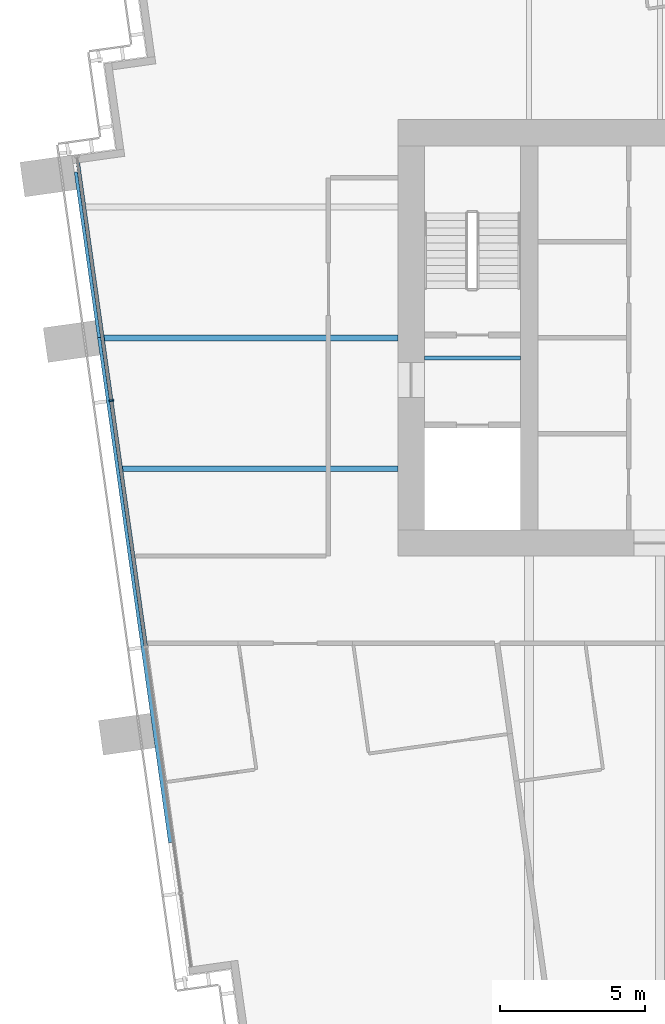
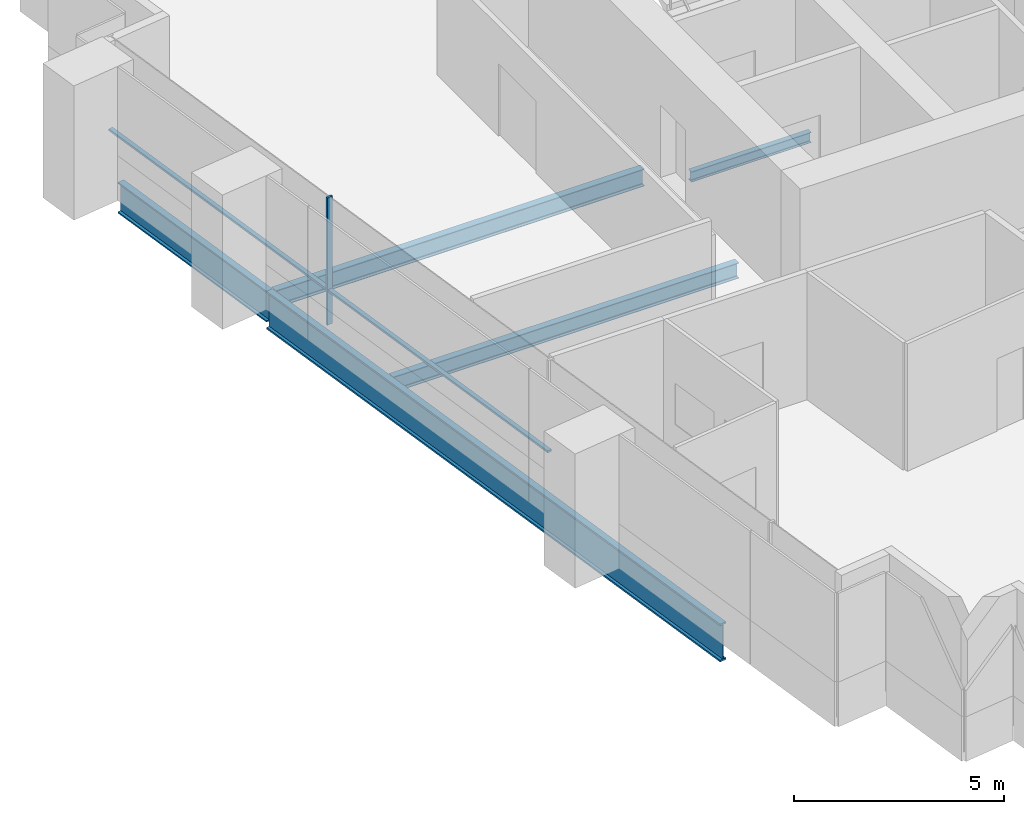
# One storey, part 3 of 18: 5 beams, 3 members, 1 element without a shape of its own.
"""IFC4 building model written with IfcOpenShell, lengths in metres."""

from ifc_helpers import new_model, si_unit, direction, frame, origin, origin_2d, place, context, subcontext, project, spatial, rectangle, i_section, extrude, material, material_profile, profile_set, type_object, element, aggregate, save


model = new_model("IFC4")

# Units and contexts
model_context = context("Model", 3, precision=1e-05, world=origin(), true_north=direction((0.0, 1.0)))
body_context = subcontext(model_context, "Body", "Model", "MODEL_VIEW")
ifc_project = project(units=[si_unit("LENGTHUNIT", "METRE"), si_unit("AREAUNIT", "SQUARE_METRE"), si_unit("VOLUMEUNIT", "CUBIC_METRE"), si_unit("PLANEANGLEUNIT", "RADIAN"), si_unit("MASSUNIT", "GRAM", prefix="KILO")], contexts=[model_context])

# Site, building, storey
site_placement = place(None, origin())
site = spatial("IfcSite", under=ifc_project, at=site_placement, CompositionType="ELEMENT")
building_placement = place(site_placement, origin())
building = spatial("IfcBuilding", under=site, at=building_placement, Name="Rattan Terrace Tower", CompositionType="ELEMENT")
storey_placement = place(building_placement, frame((0.0, 0.0, 176.300048828125)))
storey = spatial("IfcBuildingStorey", under=building, at=storey_placement, Name="L40", CompositionType="ELEMENT", Elevation=176.300048828125)

# Curtain wall, members
ifc_material_1 = material(Name="Aluminium and glass", Category="aluminium")
curtain_wall_type = type_object("IfcCurtainWallType", Name="Facade Unitised Curtain Wall", PredefinedType="NOTDEFINED", material=ifc_material_1)
curtain_wall_placement = place(storey_placement, origin())
curtain_wall = element("IfcCurtainWall", 1, at=curtain_wall_placement, inside=storey, type_object=curtain_wall_type, Name="Curtain wall L40-3", PredefinedType="NOTDEFINED")
ifc_material_2 = material(Name="Aluminium", Category="aluminium")
ifc_material_profile_1 = material_profile(ifc_material_2, rectangle(XDim=0.06005859375, YDim=0.159912109375, at=origin_2d()), Name="Aluminium 60x160")
ifc_profile_set_1 = profile_set([ifc_material_profile_1], Name="Aluminium")
member_type_1 = type_object("IfcMemberType", Name="Facade CW Mullion 60x160", PredefinedType="MULLION", material=ifc_profile_set_1)
member_1_placement = place(storey_placement, frame((-27.857666015625, -2.1591796875, 0.0), z_axis=(0.0, 0.0, 1.0), x_axis=(0.139190856006, -0.99026557327, 0.0)))
member_1 = element("IfcMember", 2, at=member_1_placement, type_object=member_type_1, Name="Mullion cwl-L40-003.2", PredefinedType="MULLION", context=body_context, shape_type="SweptSolid", body=[
    extrude(rectangle(XDim=0.06005859375, YDim=0.159912109375, at=origin_2d()), origin(), (0.0, 0.0, 1.0), 3.699951171875),
])
ifc_material_3 = material(Name="Aluminium", Category="aluminium")
ifc_material_profile_2 = material_profile(ifc_material_3, rectangle(XDim=0.1201171875, YDim=0.06005859375, at=origin_2d()), Name="Aluminium 120x60")
ifc_profile_set_2 = profile_set([ifc_material_profile_2], Name="Aluminium")
member_type_2 = type_object("IfcMemberType", Name="Facade CW Transom 120x60", PredefinedType="USERDEFINED", material=ifc_profile_set_2)
member_2_placement = place(storey_placement, frame((-29.032958984375, 6.20361328125, 1.0), z_axis=(0.139174814558, -0.99026782791, 0.0), x_axis=(0.99026782791, 0.139174814558, 0.0)))
member_2 = element("IfcMember", 3, at=member_2_placement, type_object=member_type_2, Name="Transom cwl-L40-003.1", ObjectType="TRANSOM", PredefinedType="USERDEFINED", context=body_context, shape_type="SweptSolid", body=[
    extrude(rectangle(XDim=0.1201171875, YDim=0.06005859375, at=origin_2d()), origin(), (0.0, 0.0, 1.0), 8.414794921875),
])
member_3_placement = place(storey_placement, frame((-27.853515625, -2.188720703125, 1.0), z_axis=(0.139206806234, -0.990263331189, 0.0), x_axis=(0.990263331189, 0.139206806234, 0.0)))
member_3 = element("IfcMember", 4, at=member_3_placement, type_object=member_type_2, Name="Transom cwl-L40-003.2", ObjectType="TRANSOM", PredefinedType="USERDEFINED", context=body_context, shape_type="SweptSolid", body=[
    extrude(rectangle(XDim=0.1201171875, YDim=0.06005859375, at=origin_2d()), origin(), (0.0, 0.0, 1.0), 8.490234375),
])
aggregate(curtain_wall, [member_1, member_2, member_3])

# Beams
ifc_material_4 = material(Name="Steel S460", Category="steel")
ifc_material_profile_3 = material_profile(ifc_material_4, i_section(OverallWidth=0.179931640625, OverallDepth=1.10009765625, WebThickness=0.01611328125, FlangeThickness=0.050048828125, at=origin_2d()), Name="PG 1100x180-16-50")
ifc_profile_set_3 = profile_set([ifc_material_profile_3], Name="Steel S460")
beam_type_1 = type_object("IfcBeamType", Name="Frame edge girder PG 1100x180-16-50", PredefinedType="SPANDREL", material=ifc_profile_set_3)
beam_1_placement = place(storey_placement, frame((-25.803955078125, -17.347900390625, -0.75), z_axis=(-0.13917502981, 0.990267797657, 0.0), x_axis=(-0.990267797657, -0.13917502981, 0.0)))
element("IfcBeam", 5, at=beam_1_placement, inside=storey, type_object=beam_type_1, Name="gdr-L40-003", PredefinedType="SPANDREL", context=body_context, shape_type="SweptSolid", body=[
    extrude(i_section(OverallWidth=0.179931640625, OverallDepth=1.10009765625, WebThickness=0.01611328125, FlangeThickness=0.050048828125, at=origin_2d()), origin(), (0.0, 0.0, 1.0), 17.531494140625),
])
ifc_material_5 = material(Name="Steel S460", Category="steel")
ifc_material_profile_4 = material_profile(ifc_material_5, i_section(OverallWidth=0.179931640625, OverallDepth=0.89990234375, WebThickness=0.013916015625, FlangeThickness=0.0400390625, at=origin_2d()), Name="PG 900x180-14-40")
ifc_profile_set_4 = profile_set([ifc_material_profile_4], Name="Steel S460")
beam_type_2 = type_object("IfcBeamType", Name="Frame edge girder PG 900x180-14-40", PredefinedType="SPANDREL", material=ifc_profile_set_4)
beam_2_placement = place(storey_placement, frame((-29.0439453125, 5.702880859375, -0.650146484375), z_axis=(0.139237904773, -0.990258958997, 0.0), x_axis=(0.990258958997, 0.139237904773, 0.0)))
element("IfcBeam", 6, at=beam_2_placement, inside=storey, type_object=beam_type_2, Name="gdr-L40-004", PredefinedType="SPANDREL", context=body_context, shape_type="SweptSolid", body=[
    extrude(i_section(OverallWidth=0.179931640625, OverallDepth=0.89990234375, WebThickness=0.013916015625, FlangeThickness=0.0400390625, at=origin_2d()), origin(), (0.0, 0.0, 1.0), 5.745849609375),
])
ifc_material_6 = material(Name="Steel S355", Category="steel")
ifc_material_profile_5 = material_profile(ifc_material_6, i_section(OverallWidth=0.14990234375, OverallDepth=0.300048828125, WebThickness=0.007080078125, FlangeThickness=0.0107421875, FilletRadius=0.014892578125, at=origin_2d()), Name="IPE 300")
ifc_profile_set_5 = profile_set([ifc_material_profile_5], Name="Steel S355")
beam_type_3 = type_object("IfcBeamType", Name="Frame floor beam IPE 300", PredefinedType="JOIST", material=ifc_profile_set_5)
beam_3_placement = place(storey_placement, frame((-17.10009765625, -0.695068359375, -0.35009765625), z_axis=(1.0, 0.0, 0.0), x_axis=(0.0, 1.0, 0.0)))
element("IfcBeam", 7, at=beam_3_placement, inside=storey, type_object=beam_type_3, Name="bm-L40-001", PredefinedType="JOIST", context=body_context, shape_type="SweptSolid", body=[
    extrude(i_section(OverallWidth=0.14990234375, OverallDepth=0.300048828125, WebThickness=0.007080078125, FlangeThickness=0.0107421875, FilletRadius=0.014892578125, at=origin_2d()), origin(), (0.0, 0.0, 1.0), 3.300048828125),
])
ifc_material_7 = material(Name="Steel S355", Category="steel")
ifc_material_profile_6 = material_profile(ifc_material_7, i_section(OverallWidth=0.18994140625, OverallDepth=0.449951171875, WebThickness=0.009521484375, FlangeThickness=0.0146484375, FilletRadius=0.02099609375, at=origin_2d()), Name="IPE 450")
ifc_profile_set_6 = profile_set([ifc_material_profile_6], Name="Steel S355")
beam_type_4 = type_object("IfcBeamType", Name="Frame floor beam IPE 450", PredefinedType="JOIST", material=ifc_profile_set_6)
beam_4_placement = place(storey_placement, frame((-27.5048828125, -4.5, -0.425048828125), z_axis=(1.0, 0.0, 0.0), x_axis=(0.0, 1.0, 0.0)))
element("IfcBeam", 8, at=beam_4_placement, inside=storey, type_object=beam_type_4, Name="bm-L40-010", PredefinedType="JOIST", context=body_context, shape_type="SweptSolid", body=[
    extrude(i_section(OverallWidth=0.18994140625, OverallDepth=0.449951171875, WebThickness=0.009521484375, FlangeThickness=0.0146484375, FilletRadius=0.02099609375, at=origin_2d()), origin(), (0.0, 0.0, 1.0), 9.5048828125),
])
ifc_material_8 = material(Name="Steel S355", Category="steel")
ifc_material_profile_7 = material_profile(ifc_material_8, i_section(OverallWidth=0.199951171875, OverallDepth=0.5, WebThickness=0.01025390625, FlangeThickness=0.01611328125, FilletRadius=0.02099609375, at=origin_2d()), Name="IPE 500")
ifc_profile_set_7 = profile_set([ifc_material_profile_7], Name="Steel S355")
beam_type_5 = type_object("IfcBeamType", Name="Frame floor beam IPE 500", PredefinedType="JOIST", material=ifc_profile_set_7)
beam_5_placement = place(storey_placement, frame((-28.136962890625, 0.0, -0.449951171875), z_axis=(1.0, 0.0, 0.0), x_axis=(0.0, 1.0, 0.0)))
element("IfcBeam", 9, at=beam_5_placement, inside=storey, type_object=beam_type_5, Name="bm-L40-012", PredefinedType="JOIST", context=body_context, shape_type="SweptSolid", body=[
    extrude(i_section(OverallWidth=0.199951171875, OverallDepth=0.5, WebThickness=0.01025390625, FlangeThickness=0.01611328125, FilletRadius=0.02099609375, at=origin_2d()), origin(), (0.0, 0.0, 1.0), 10.136962890625),
])

save(model, "model.ifc")
